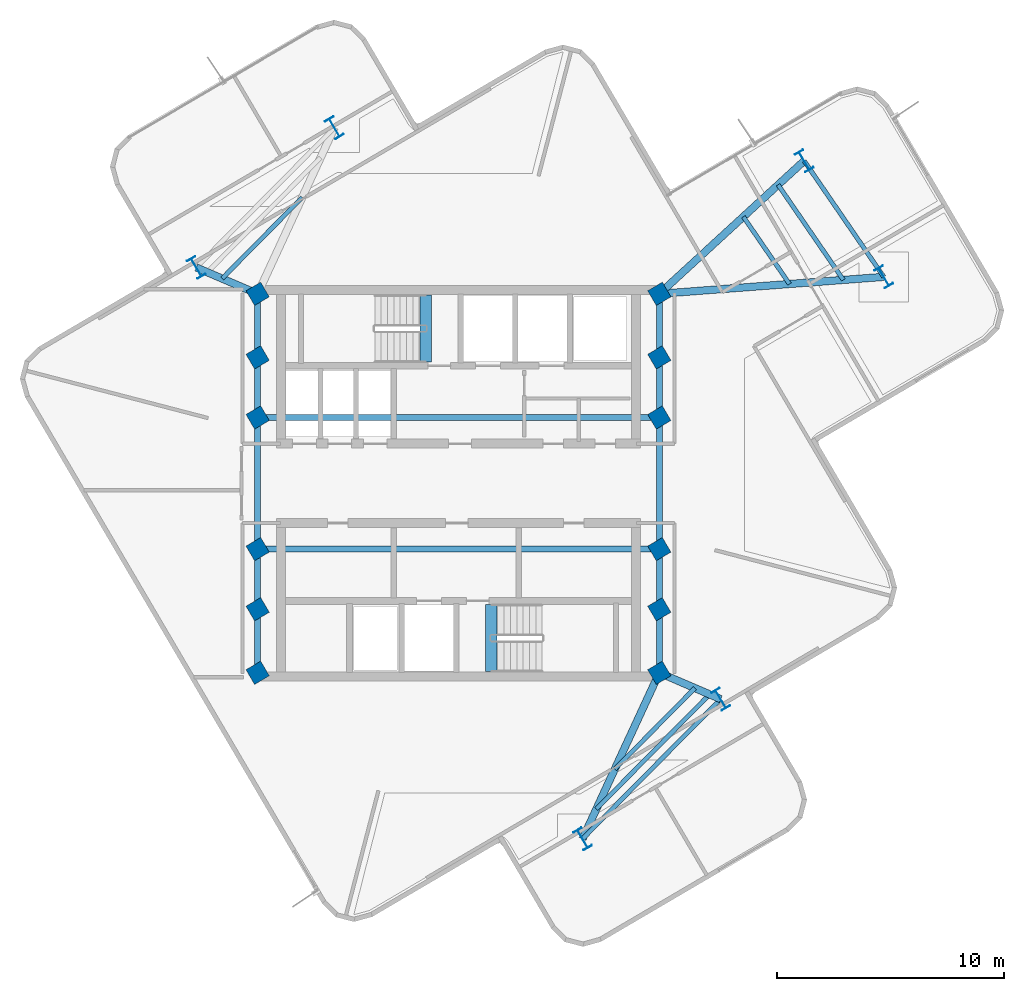
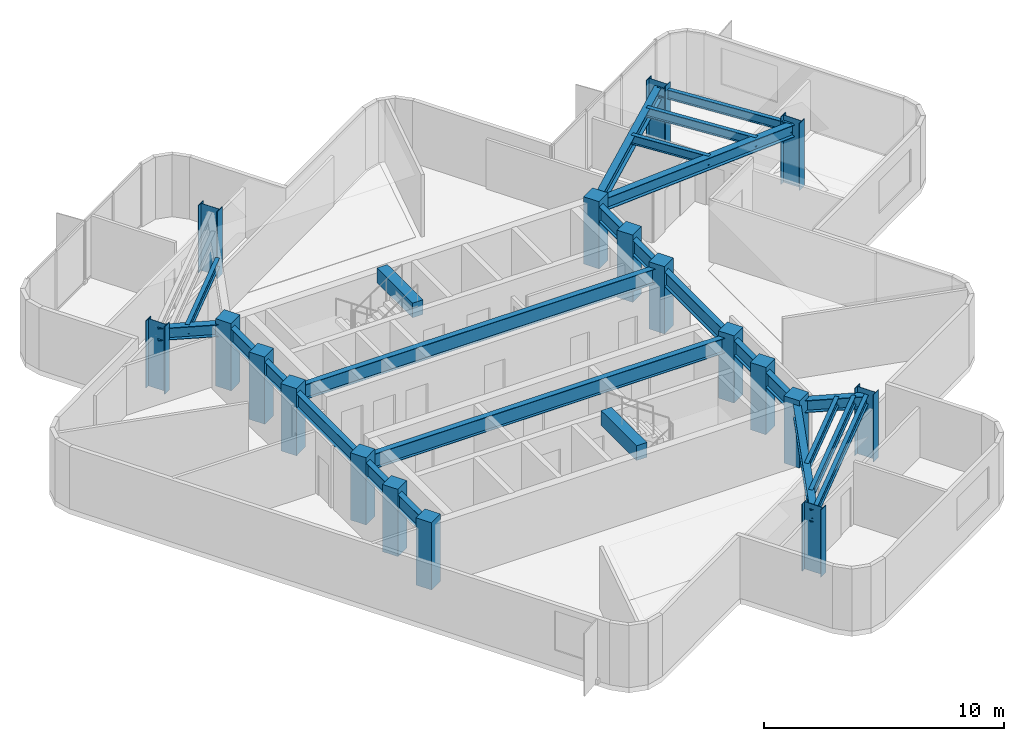
# One storey, part 1 of 8: 26 beams, 18 columns.
"""IFC4 building model written with IfcOpenShell, lengths in metres."""

from ifc_helpers import new_model, si_unit, direction, frame, origin, origin_2d, place, context, subcontext, project, spatial, rectangle, i_section, extrude, material, material_profile, profile_set, type_object, element, save


model = new_model("IFC4")

# Units and contexts
model_context = context("Model", 3, precision=1e-05, world=origin(), true_north=direction((0.0, 1.0)))
body_context = subcontext(model_context, "Body", "Model", "MODEL_VIEW")
ifc_project = project(units=[si_unit("LENGTHUNIT", "METRE"), si_unit("AREAUNIT", "SQUARE_METRE"), si_unit("VOLUMEUNIT", "CUBIC_METRE"), si_unit("PLANEANGLEUNIT", "RADIAN"), si_unit("MASSUNIT", "GRAM", prefix="KILO")], contexts=[model_context])

# Site, building, storey
site_placement = place(None, origin())
site = spatial("IfcSite", under=ifc_project, at=site_placement, CompositionType="ELEMENT")
building_placement = place(site_placement, origin())
building = spatial("IfcBuilding", under=site, at=building_placement, Name="Solmarez Civic Tower", CompositionType="ELEMENT")
storey_placement = place(building_placement, frame((0.0, 0.0, 205.199951171875)))
storey = spatial("IfcBuildingStorey", under=building, at=storey_placement, Name="L54", CompositionType="ELEMENT", Elevation=205.199951171875)

# Columns
ifc_material_1 = material(Name="Concrete C50/60", Category="concrete")
ifc_material_profile_1 = material_profile(ifc_material_1, rectangle(XDim=0.75, YDim=0.75, at=origin_2d()), Name="RC750X750")
ifc_profile_set_1 = profile_set([ifc_material_profile_1], Name="Concrete C50/60")
column_type_1 = type_object("IfcColumnType", Name="COL-RC750", PredefinedType="COLUMN", material=ifc_profile_set_1)
for number, where, z_axis, x_axis, name in (
    (1, (-8.85009765625, -5.550048828125, 0.0), (0.0, 0.0, 1.0), (0.862513669207, 0.506033764121, 0.0), "L54 Structural Column HC1"),
    (2, (-8.85009765625, -2.89990234375, 0.0), (0.0, 0.0, 1.0), (0.862513669207, 0.506033764121, 0.0), "L54 Structural Column HC2"),
    (3, (-8.85009765625, 2.89990234375, 0.0), (0.0, 0.0, 1.0), (0.862513669207, 0.506033764121, 0.0), "L54 Structural Column HC3"),
    (4, (-8.85009765625, 5.550048828125, 0.0), (0.0, 0.0, 1.0), (0.862513669207, 0.506033764121, 0.0), "L54 Structural Column HC4"),
    (5, (8.85009765625, -5.550048828125, 0.0), (0.0, 0.0, 1.0), (0.862513669207, 0.506033764121, 0.0), "L54 Structural Column HC5"),
    (6, (8.85009765625, -2.89990234375, 0.0), (0.0, 0.0, 1.0), (0.862513669207, 0.506033764121, 0.0), "L54 Structural Column HC6"),
    (7, (8.85009765625, 2.89990234375, 0.0), (0.0, 0.0, 1.0), (0.862513669207, 0.506033764121, 0.0), "L54 Structural Column HC7"),
    (8, (8.85009765625, 5.550048828125, 0.0), (0.0, 0.0, 1.0), (0.862513669207, 0.506033764121, 0.0), "L54 Structural Column HC8"),
    (9, (-8.85009765625, 8.35009765625, 0.0), (0.0, 0.0, 1.0), (0.862513669207, 0.506033764121, 0.0), "L54 Structural Column HC9"),
    (10, (8.85009765625, -8.35009765625, 0.0), (0.0, 0.0, 1.0), (0.862513669207, 0.506033764121, 0.0), "L54 Structural Column HC10"),
    (11, (8.85009765625, 8.35009765625, 0.0), (0.0, 0.0, 1.0), (0.862513669207, 0.506033764121, 0.0), "L54 Structural Column HC11"),
    (12, (-8.85009765625, -8.35009765625, 0.0), (0.0, 0.0, 1.0), (0.862513669207, 0.506033764121, 0.0), "L54 Structural Column HC12"),
):
    element("IfcColumn", number, at=place(storey_placement, frame(where, z_axis=z_axis, x_axis=x_axis)), inside=storey, type_object=column_type_1, Name=name, PredefinedType="COLUMN", context=body_context, shape_type="SweptSolid", body=[
        extrude(rectangle(XDim=0.75, YDim=0.75, at=origin_2d()), origin(), (0.0, 0.0, 1.0), 3.420166015625),
    ])
ifc_material_2 = material(Name="Steel S355", Category="steel")
ifc_material_profile_2 = material_profile(ifc_material_2, i_section(OverallWidth=0.41796875, OverallDepth=0.927001953125, WebThickness=0.019287109375, FlangeThickness=0.031982421875, at=origin_2d()), Name="W36X231")
ifc_profile_set_2 = profile_set([ifc_material_profile_2], Name="Steel S355")
column_type_2 = type_object("IfcColumnType", Name="COL-W36X231", PredefinedType="COLUMN", material=ifc_profile_set_2)
for number, where, z_axis, x_axis, name in (
    (13, (18.740966796875, 9.096923828125, 0.0), (0.0, 0.0, 1.0), (0.862513669207, 0.506033764121, 0.0), "L54 Structural Column EA11"),
    (14, (15.23388671875, 14.208984375, 0.0), (0.0, 0.0, 1.0), (0.862513669207, 0.506033764121, 0.0), "L54 Structural Column EA12"),
    (15, (-5.468017578125, 15.6708984375, 0.0), (0.0, 0.0, 1.0), (0.862513669207, 0.506033764121, 0.0), "L54 Structural Column NA11"),
    (16, (-11.553955078125, 9.510009765625, 0.0), (0.0, 0.0, 1.0), (0.862513669207, 0.506033764121, 0.0), "L54 Structural Column NA12"),
    (17, (5.468017578125, -15.6708984375, 0.0), (0.0, 0.0, 1.0), (0.862513669207, 0.506033764121, 0.0), "L54 Structural Column SA11"),
    (18, (11.553955078125, -9.510009765625, 0.0), (0.0, 0.0, 1.0), (0.862513669207, 0.506033764121, 0.0), "L54 Structural Column SA12"),
):
    element("IfcColumn", number, at=place(storey_placement, frame(where, z_axis=z_axis, x_axis=x_axis)), inside=storey, type_object=column_type_2, Name=name, PredefinedType="COLUMN", context=body_context, shape_type="SweptSolid", body=[
        extrude(i_section(OverallWidth=0.41796875, OverallDepth=0.927001953125, WebThickness=0.019287109375, FlangeThickness=0.031982421875, at=origin_2d()), origin(), (0.0, 0.0, 1.0), 3.420166015625),
    ])

# Beams
ifc_material_profile_3 = material_profile(ifc_material_2, i_section(OverallWidth=0.19189453125, OverallDepth=0.462890625, WebThickness=0.010498046875, FlangeThickness=0.017578125, at=origin_2d()), Name="W18X60")
ifc_profile_set_3 = profile_set([ifc_material_profile_3], Name="Steel S355")
beam_type_1 = type_object("IfcBeamType", Name="BM-JS-W18X60", PredefinedType="JOIST", material=ifc_profile_set_3)
beam_1_placement = place(storey_placement, frame((18.740966796875, 9.096923828125, 2.928955078125), z_axis=(-0.565711253315, 0.824603406416, 0.0), x_axis=(-0.824603406416, -0.565711253315, 0.0)))
element("IfcBeam", 19, at=beam_1_placement, inside=storey, type_object=beam_type_1, Name="L54 Secondary Floor Joist BM-L54-EA-T1", PredefinedType="JOIST", context=body_context, shape_type="SweptSolid", body=[
    extrude(i_section(OverallWidth=0.19189453125, OverallDepth=0.462890625, WebThickness=0.010498046875, FlangeThickness=0.017578125, at=origin_2d()), origin(), (0.0, 0.0, 1.0), 6.199462890625),
])
beam_2_placement = place(storey_placement, frame((14.5869140625, 8.782958984375, 2.928955078125), z_axis=(-0.565666897805, 0.824633834334, 0.0), x_axis=(-0.824633834334, -0.565666897805, 0.0)))
element("IfcBeam", 20, at=beam_2_placement, inside=storey, type_object=beam_type_1, Name="L54 Secondary Floor Joist JS-L54-EA-M11", PredefinedType="JOIST", context=body_context, shape_type="SweptSolid", body=[
    extrude(i_section(OverallWidth=0.19189453125, OverallDepth=0.462890625, WebThickness=0.010498046875, FlangeThickness=0.017578125, at=origin_2d()), origin(), (0.0, 0.0, 1.0), 3.595703125),
])
beam_3_placement = place(storey_placement, frame((16.9609375, 8.962890625, 2.928955078125), z_axis=(-0.565800880521, 0.824541911367, 0.0), x_axis=(-0.824541911367, -0.565800880521, 0.0)))
element("IfcBeam", 21, at=beam_3_placement, inside=storey, type_object=beam_type_1, Name="L54 Secondary Floor Joist JS-L54-EA-M12", PredefinedType="JOIST", context=body_context, shape_type="SweptSolid", body=[
    extrude(i_section(OverallWidth=0.19189453125, OverallDepth=0.462890625, WebThickness=0.010498046875, FlangeThickness=0.017578125, at=origin_2d()), origin(), (0.0, 0.0, 1.0), 5.0830078125),
])
beam_4_placement = place(storey_placement, frame((-6.887939453125, 12.595947265625, 2.928955078125), z_axis=(-0.702816380081, -0.711371306625, 0.0), x_axis=(0.711371306625, -0.702816380081, 0.0)))
element("IfcBeam", 22, at=beam_4_placement, inside=storey, type_object=beam_type_1, Name="L54 Secondary Floor Joist JS-L54-NA-M11", PredefinedType="JOIST", context=body_context, shape_type="SweptSolid", body=[
    extrude(i_section(OverallWidth=0.19189453125, OverallDepth=0.462890625, WebThickness=0.010498046875, FlangeThickness=0.017578125, at=origin_2d()), origin(), (0.0, 0.0, 1.0), 5.022705078125),
])
beam_5_placement = place(storey_placement, frame((5.468017578125, -15.6708984375, 2.928955078125), z_axis=(0.702766092364, 0.711420986072, 0.0), x_axis=(-0.711420986072, 0.702766092364, 0.0)))
element("IfcBeam", 23, at=beam_5_placement, inside=storey, type_object=beam_type_1, Name="L54 Secondary Floor Joist BM-L54-SA-T1", PredefinedType="JOIST", context=body_context, shape_type="SweptSolid", body=[
    extrude(i_section(OverallWidth=0.19189453125, OverallDepth=0.462890625, WebThickness=0.010498046875, FlangeThickness=0.017578125, at=origin_2d()), origin(), (0.0, 0.0, 1.0), 8.659912109375),
])
beam_6_placement = place(storey_placement, frame((6.887939453125, -12.595947265625, 2.928955078125), z_axis=(0.702816380081, 0.711371306625, 0.0), x_axis=(-0.711371306625, 0.702816380081, 0.0)))
element("IfcBeam", 24, at=beam_6_placement, inside=storey, type_object=beam_type_1, Name="L54 Secondary Floor Joist JS-L54-SA-M11", PredefinedType="JOIST", context=body_context, shape_type="SweptSolid", body=[
    extrude(i_section(OverallWidth=0.19189453125, OverallDepth=0.462890625, WebThickness=0.010498046875, FlangeThickness=0.017578125, at=origin_2d()), origin(), (0.0, 0.0, 1.0), 5.022705078125),
])
beam_7_placement = place(storey_placement, frame((6.076904296875, -14.35302734375, 2.928955078125), z_axis=(0.702726827997, 0.711459770622, 0.0), x_axis=(-0.711459770622, 0.702726827997, 0.0)))
element("IfcBeam", 25, at=beam_7_placement, inside=storey, type_object=beam_type_1, Name="L54 Secondary Floor Joist JS-L54-SA-M12", PredefinedType="JOIST", context=body_context, shape_type="SweptSolid", body=[
    extrude(i_section(OverallWidth=0.19189453125, OverallDepth=0.462890625, WebThickness=0.010498046875, FlangeThickness=0.017578125, at=origin_2d()), origin(), (0.0, 0.0, 1.0), 7.100830078125),
])
ifc_material_profile_4 = material_profile(ifc_material_1, rectangle(XDim=0.5, YDim=0.75, at=origin_2d()), Name="RC500X750")
ifc_profile_set_4 = profile_set([ifc_material_profile_4], Name="Concrete C50/60")
beam_type_2 = type_object("IfcBeamType", Name="BM-PR-RC500X750", PredefinedType="BEAM", material=ifc_profile_set_4)
for number, where, z_axis, x_axis, name in (
    (26, (-1.449951171875, 5.340087890625, 3.052978515625), (0.0, 1.0, 0.0), (-1.0, 0.0, 0.0), "L54 North Stair Threshold Beam"),
    (27, (1.449951171875, -8.300048828125, 3.052978515625), (0.0, 1.0, 0.0), (-1.0, 0.0, 0.0), "L54 South Stair Threshold Beam"),
):
    element("IfcBeam", number, at=place(storey_placement, frame(where, z_axis=z_axis, x_axis=x_axis)), inside=storey, type_object=beam_type_2, Name=name, PredefinedType="BEAM", context=body_context, shape_type="SweptSolid", body=[
        extrude(rectangle(XDim=0.5, YDim=0.75, at=origin_2d()), origin(), (0.0, 0.0, 1.0), 2.9599609375),
    ])
ifc_material_profile_5 = material_profile(ifc_material_2, i_section(OverallWidth=0.327880859375, OverallDepth=0.6220703125, WebThickness=0.015380859375, FlangeThickness=0.0244140625, at=origin_2d()), Name="W24X131")
ifc_profile_set_5 = profile_set([ifc_material_profile_5], Name="Steel S355")
beam_type_3 = type_object("IfcBeamType", Name="BM-PR-W24X131", PredefinedType="BEAM", material=ifc_profile_set_5)
beam_8_placement = place(storey_placement, frame((8.85009765625, 8.35009765625, 2.84912109375), z_axis=(0.997161506076, 0.075292302399, 0.0), x_axis=(-0.075292302399, 0.997161506076, 0.0)))
element("IfcBeam", 28, at=beam_8_placement, inside=storey, type_object=beam_type_3, Name="L54 Primary Floor Beam BM-L54-EA-R1A", PredefinedType="BEAM", context=body_context, shape_type="SweptSolid", body=[
    extrude(i_section(OverallWidth=0.327880859375, OverallDepth=0.6220703125, WebThickness=0.015380859375, FlangeThickness=0.0244140625, at=origin_2d()), origin(), (0.0, 0.0, 1.0), 9.9189453125),
])
beam_9_placement = place(storey_placement, frame((8.85009765625, 8.35009765625, 2.84912109375), z_axis=(0.736746995662, 0.676168517741, 0.0), x_axis=(-0.676168517741, 0.736746995662, 0.0)))
element("IfcBeam", 29, at=beam_9_placement, inside=storey, type_object=beam_type_3, Name="L54 Primary Floor Beam BM-L54-EA-R1B", PredefinedType="BEAM", context=body_context, shape_type="SweptSolid", body=[
    extrude(i_section(OverallWidth=0.327880859375, OverallDepth=0.6220703125, WebThickness=0.015380859375, FlangeThickness=0.0244140625, at=origin_2d()), origin(), (0.0, 0.0, 1.0), 8.664794921875),
])
beam_10_placement = place(storey_placement, frame((-8.85009765625, 8.35009765625, 2.84912109375), z_axis=(-0.919007627325, 0.394239750557, 0.0), x_axis=(-0.394239750557, -0.919007627325, 0.0)))
element("IfcBeam", 30, at=beam_10_placement, inside=storey, type_object=beam_type_3, Name="L54 Primary Floor Beam BM-L54-NA-R1B", PredefinedType="BEAM", context=body_context, shape_type="SweptSolid", body=[
    extrude(i_section(OverallWidth=0.327880859375, OverallDepth=0.6220703125, WebThickness=0.015380859375, FlangeThickness=0.0244140625, at=origin_2d()), origin(), (0.0, 0.0, 1.0), 2.942138671875),
])
beam_11_placement = place(storey_placement, frame((8.85009765625, -8.35009765625, 2.84912109375), z_axis=(-0.419390280967, -0.907806032273, 0.0), x_axis=(0.907806032273, -0.419390280967, 0.0)))
element("IfcBeam", 31, at=beam_11_placement, inside=storey, type_object=beam_type_3, Name="L54 Primary Floor Beam BM-L54-SA-R1A", PredefinedType="BEAM", context=body_context, shape_type="SweptSolid", body=[
    extrude(i_section(OverallWidth=0.327880859375, OverallDepth=0.6220703125, WebThickness=0.015380859375, FlangeThickness=0.0244140625, at=origin_2d()), origin(), (0.0, 0.0, 1.0), 8.064208984375),
])
beam_12_placement = place(storey_placement, frame((8.85009765625, -8.35009765625, 2.84912109375), z_axis=(0.919007627325, -0.394239750557, 0.0), x_axis=(0.394239750557, 0.919007627325, 0.0)))
element("IfcBeam", 32, at=beam_12_placement, inside=storey, type_object=beam_type_3, Name="L54 Primary Floor Beam BM-L54-SA-R1B", PredefinedType="BEAM", context=body_context, shape_type="SweptSolid", body=[
    extrude(i_section(OverallWidth=0.327880859375, OverallDepth=0.6220703125, WebThickness=0.015380859375, FlangeThickness=0.0244140625, at=origin_2d()), origin(), (0.0, 0.0, 1.0), 2.942138671875),
])
ifc_material_profile_6 = material_profile(ifc_material_2, i_section(OverallWidth=0.26708984375, OverallDepth=0.761962890625, WebThickness=0.014404296875, FlangeThickness=0.021484375, at=origin_2d()), Name="W30X116")
ifc_profile_set_6 = profile_set([ifc_material_profile_6], Name="Steel S355")
beam_type_4 = type_object("IfcBeamType", Name="BM-PR-W30X116", PredefinedType="BEAM", material=ifc_profile_set_6)
beam_13_placement = place(storey_placement, frame((-8.85009765625, -8.35009765625, 2.779052734375), z_axis=(0.0, 1.0, 0.0), x_axis=(-1.0, 0.0, 0.0)))
element("IfcBeam", 33, at=beam_13_placement, inside=storey, type_object=beam_type_4, Name="L54 Primary Floor Beam BM-L54-HC12-HC1", PredefinedType="BEAM", context=body_context, shape_type="SweptSolid", body=[
    extrude(i_section(OverallWidth=0.26708984375, OverallDepth=0.761962890625, WebThickness=0.014404296875, FlangeThickness=0.021484375, at=origin_2d()), origin(), (0.0, 0.0, 1.0), 2.800048828125),
])
beam_14_placement = place(storey_placement, frame((-8.85009765625, -5.550048828125, 2.779052734375), z_axis=(0.0, 1.0, 0.0), x_axis=(-1.0, 0.0, 0.0)))
element("IfcBeam", 34, at=beam_14_placement, inside=storey, type_object=beam_type_4, Name="L54 Primary Floor Beam BM-L54-HC1-HC2", PredefinedType="BEAM", context=body_context, shape_type="SweptSolid", body=[
    extrude(i_section(OverallWidth=0.26708984375, OverallDepth=0.761962890625, WebThickness=0.014404296875, FlangeThickness=0.021484375, at=origin_2d()), origin(), (0.0, 0.0, 1.0), 2.650146484375),
])
beam_15_placement = place(storey_placement, frame((-8.85009765625, -2.89990234375, 2.779052734375), z_axis=(0.0, 1.0, 0.0), x_axis=(-1.0, 0.0, 0.0)))
element("IfcBeam", 35, at=beam_15_placement, inside=storey, type_object=beam_type_4, Name="L54 Primary Floor Beam BM-L54-HC2-HC3", PredefinedType="BEAM", context=body_context, shape_type="SweptSolid", body=[
    extrude(i_section(OverallWidth=0.26708984375, OverallDepth=0.761962890625, WebThickness=0.014404296875, FlangeThickness=0.021484375, at=origin_2d()), origin(), (0.0, 0.0, 1.0), 5.7998046875),
])
beam_16_placement = place(storey_placement, frame((-8.85009765625, 2.89990234375, 2.779052734375), z_axis=(0.0, 1.0, 0.0), x_axis=(-1.0, 0.0, 0.0)))
element("IfcBeam", 36, at=beam_16_placement, inside=storey, type_object=beam_type_4, Name="L54 Primary Floor Beam BM-L54-HC3-HC4", PredefinedType="BEAM", context=body_context, shape_type="SweptSolid", body=[
    extrude(i_section(OverallWidth=0.26708984375, OverallDepth=0.761962890625, WebThickness=0.014404296875, FlangeThickness=0.021484375, at=origin_2d()), origin(), (0.0, 0.0, 1.0), 2.650146484375),
])
for number, where, z_axis, x_axis, name in (
    (37, (-8.85009765625, 5.550048828125, 2.779052734375), (0.0, 1.0, 0.0), (-1.0, 0.0, 0.0), "L54 Primary Floor Beam BM-L54-HC4-HC9"),
    (38, (8.85009765625, -8.35009765625, 2.779052734375), (0.0, 1.0, 0.0), (-1.0, 0.0, 0.0), "L54 Primary Floor Beam BM-L54-HC10-HC5"),
):
    element("IfcBeam", number, at=place(storey_placement, frame(where, z_axis=z_axis, x_axis=x_axis)), inside=storey, type_object=beam_type_4, Name=name, PredefinedType="BEAM", context=body_context, shape_type="SweptSolid", body=[
        extrude(i_section(OverallWidth=0.26708984375, OverallDepth=0.761962890625, WebThickness=0.014404296875, FlangeThickness=0.021484375, at=origin_2d()), origin(), (0.0, 0.0, 1.0), 2.800048828125),
    ])
beam_17_placement = place(storey_placement, frame((8.85009765625, -5.550048828125, 2.779052734375), z_axis=(0.0, 1.0, 0.0), x_axis=(-1.0, 0.0, 0.0)))
element("IfcBeam", 39, at=beam_17_placement, inside=storey, type_object=beam_type_4, Name="L54 Primary Floor Beam BM-L54-HC5-HC6", PredefinedType="BEAM", context=body_context, shape_type="SweptSolid", body=[
    extrude(i_section(OverallWidth=0.26708984375, OverallDepth=0.761962890625, WebThickness=0.014404296875, FlangeThickness=0.021484375, at=origin_2d()), origin(), (0.0, 0.0, 1.0), 2.650146484375),
])
beam_18_placement = place(storey_placement, frame((8.85009765625, -2.89990234375, 2.779052734375), z_axis=(0.0, 1.0, 0.0), x_axis=(-1.0, 0.0, 0.0)))
element("IfcBeam", 40, at=beam_18_placement, inside=storey, type_object=beam_type_4, Name="L54 Primary Floor Beam BM-L54-HC6-HC7", PredefinedType="BEAM", context=body_context, shape_type="SweptSolid", body=[
    extrude(i_section(OverallWidth=0.26708984375, OverallDepth=0.761962890625, WebThickness=0.014404296875, FlangeThickness=0.021484375, at=origin_2d()), origin(), (0.0, 0.0, 1.0), 5.7998046875),
])
beam_19_placement = place(storey_placement, frame((8.85009765625, 2.89990234375, 2.779052734375), z_axis=(0.0, 1.0, 0.0), x_axis=(-1.0, 0.0, 0.0)))
element("IfcBeam", 41, at=beam_19_placement, inside=storey, type_object=beam_type_4, Name="L54 Primary Floor Beam BM-L54-HC7-HC8", PredefinedType="BEAM", context=body_context, shape_type="SweptSolid", body=[
    extrude(i_section(OverallWidth=0.26708984375, OverallDepth=0.761962890625, WebThickness=0.014404296875, FlangeThickness=0.021484375, at=origin_2d()), origin(), (0.0, 0.0, 1.0), 2.650146484375),
])
beam_20_placement = place(storey_placement, frame((8.85009765625, 5.550048828125, 2.779052734375), z_axis=(0.0, 1.0, 0.0), x_axis=(-1.0, 0.0, 0.0)))
element("IfcBeam", 42, at=beam_20_placement, inside=storey, type_object=beam_type_4, Name="L54 Primary Floor Beam BM-L54-HC8-HC11", PredefinedType="BEAM", context=body_context, shape_type="SweptSolid", body=[
    extrude(i_section(OverallWidth=0.26708984375, OverallDepth=0.761962890625, WebThickness=0.014404296875, FlangeThickness=0.021484375, at=origin_2d()), origin(), (0.0, 0.0, 1.0), 2.800048828125),
])
for number, where, z_axis, x_axis, name in (
    (43, (-8.85009765625, -2.89990234375, 2.779052734375), (1.0, 0.0, 0.0), (0.0, 1.0, 0.0), "L54 Primary Floor Beam BM-L54-HC2-HC6"),
    (44, (-8.85009765625, 2.89990234375, 2.779052734375), (1.0, 0.0, 0.0), (0.0, 1.0, 0.0), "L54 Primary Floor Beam BM-L54-HC3-HC7"),
):
    element("IfcBeam", number, at=place(storey_placement, frame(where, z_axis=z_axis, x_axis=x_axis)), inside=storey, type_object=beam_type_4, Name=name, PredefinedType="BEAM", context=body_context, shape_type="SweptSolid", body=[
        extrude(i_section(OverallWidth=0.26708984375, OverallDepth=0.761962890625, WebThickness=0.014404296875, FlangeThickness=0.021484375, at=origin_2d()), origin(), (0.0, 0.0, 1.0), 17.7001953125),
    ])

save(model, "model.ifc")
